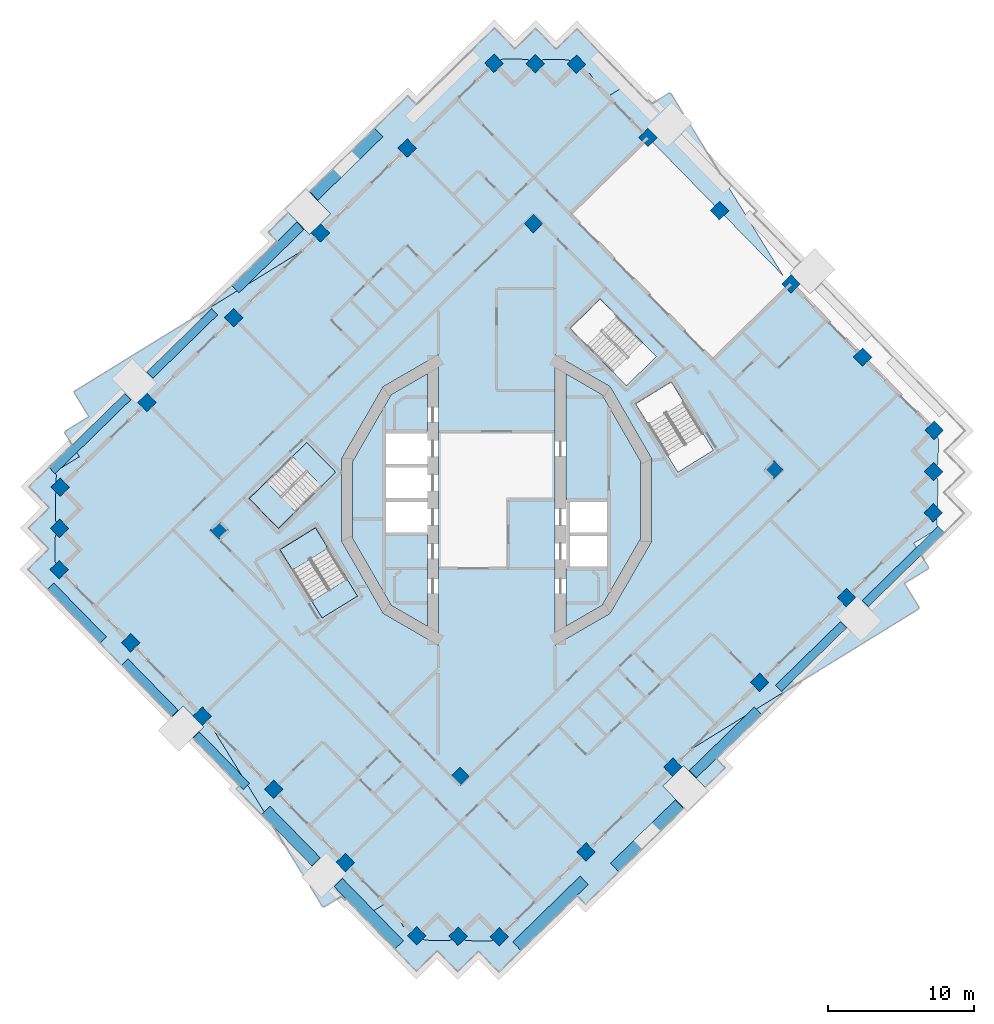
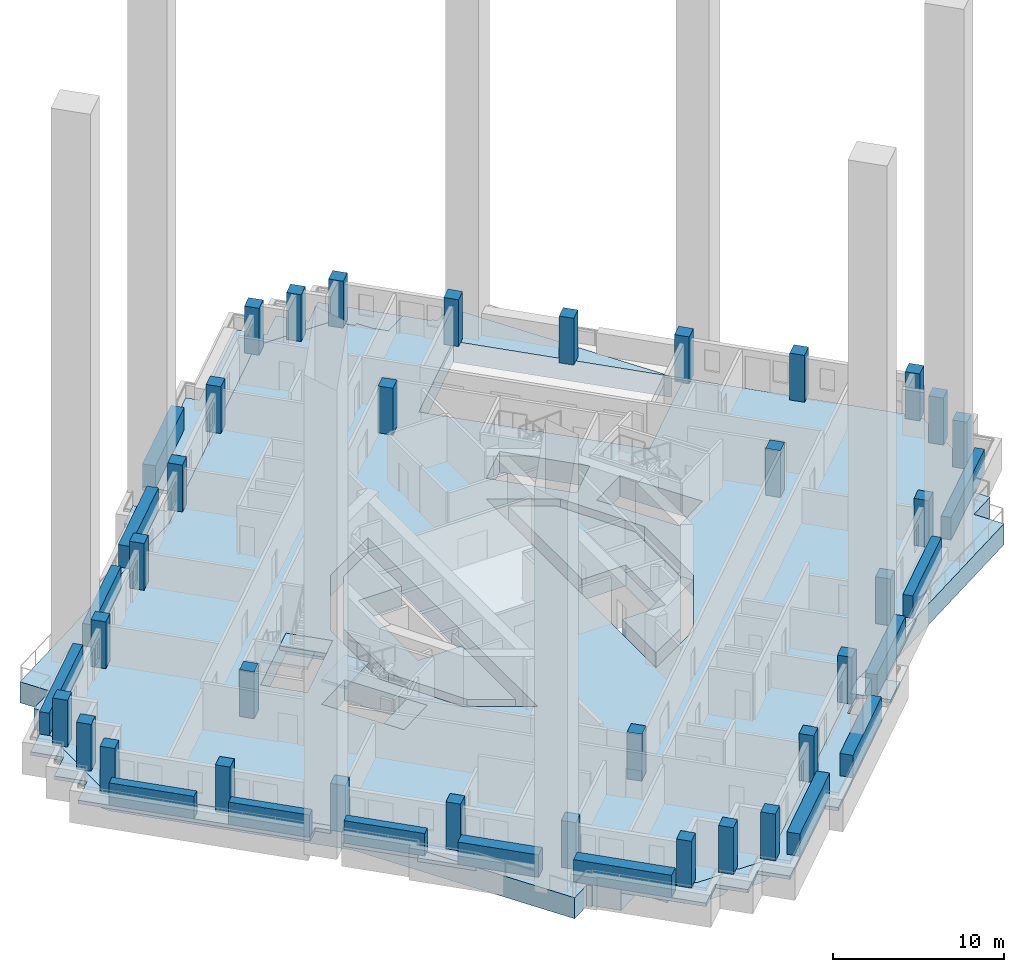
# One storey, part 1 of 17: 32 columns, 14 plates, 13 slabs, 2 elements without a shape of their own.
"""IFC4 building model written with IfcOpenShell, lengths in metres."""

from ifc_helpers import new_model, si_unit, direction, frame, origin, origin_2d, place, context, subcontext, project, spatial, polyline, rectangle, outline, extrude, material, layer, layer_set, material_profile, profile_set, type_object, element, aggregate, save


model = new_model("IFC4")

# Units and contexts
model_context = context("Model", 3, precision=1e-05, world=origin(), true_north=direction((0.0, 1.0)))
body_context = subcontext(model_context, "Body", "Model", "MODEL_VIEW")
ifc_project = project(units=[si_unit("LENGTHUNIT", "METRE"), si_unit("AREAUNIT", "SQUARE_METRE"), si_unit("VOLUMEUNIT", "CUBIC_METRE"), si_unit("PLANEANGLEUNIT", "RADIAN"), si_unit("MASSUNIT", "GRAM", prefix="KILO")], contexts=[model_context])

# Site, building, storey
site_placement = place(None, origin())
site = spatial("IfcSite", under=ifc_project, at=site_placement, CompositionType="ELEMENT")
building_placement = place(site_placement, origin())
building = spatial("IfcBuilding", under=site, at=building_placement, Name="Cantera Rosa Tower", CompositionType="ELEMENT")
storey_placement = place(building_placement, frame((0.0, 0.0, 205.39990234375)))
storey = spatial("IfcBuildingStorey", under=building, at=storey_placement, Name="L43", CompositionType="ELEMENT", Elevation=205.39990234375)

# Columns
ifc_material_1 = material(Name="Concrete C60/75", Category="concrete")
ifc_material_profile_1 = material_profile(ifc_material_1, rectangle(XDim=0.89990234375, YDim=0.89990234375, at=origin_2d()), Name="RC COLUMN RC900X900 C60/75")
ifc_profile_set_1 = profile_set([ifc_material_profile_1], Name="Concrete C60/75")
column_type_1 = type_object("IfcColumnType", Name="RC COLUMN RC900X900 C60/75", PredefinedType="COLUMN", material=ifc_profile_set_1)
for number, where, z_axis, x_axis, name in (
    (1, (30.003662109375, 4.77783203125, 0.0), (0.0, 0.0, 1.0), (0.71528629107, 0.698831540364, 0.0), "C-Z4-01 L43"),
    (2, (25.097900390625, 9.799072265625, 0.0), (0.0, 0.0, 1.0), (0.71528629107, 0.698831540364, 0.0), "C-Z4-02 L43"),
    (3, (20.19189453125, 14.8203125, 0.0), (0.0, 0.0, 1.0), (0.71528629107, 0.698831540364, 0.0), "C-Z4-03 L43"),
    (4, (15.2861328125, 19.841796875, 0.0), (0.0, 0.0, 1.0), (0.71528629107, 0.698831540364, 0.0), "C-Z4-04 L43"),
    (5, (10.38037109375, 24.863037109375, 0.0), (0.0, 0.0, 1.0), (0.71528629107, 0.698831540364, 0.0), "C-Z4-05 L43"),
    (6, (5.474609375, 29.88427734375, 0.0), (0.0, 0.0, 1.0), (0.71528629107, 0.698831540364, 0.0), "C-Z4-06 L43"),
    (7, (2.646484375, 29.917236328125, 0.0), (0.0, 0.0, 1.0), (0.71528629107, 0.698831540364, 0.0), "C-Z4-07 L43"),
    (8, (-0.181884765625, 29.9501953125, 0.0), (0.0, 0.0, 1.0), (0.71528629107, 0.698831540364, 0.0), "C-Z4-08 L43"),
    (9, (-6.133056640625, 24.1357421875, 0.0), (0.0, 0.0, 1.0), (0.71528629107, 0.698831540364, 0.0), "C-Z4-09 L43"),
    (10, (-12.084228515625, 18.321533203125, 0.0), (0.0, 0.0, 1.0), (0.71528629107, 0.698831540364, 0.0), "C-Z4-10 L43"),
    (11, (-18.035400390625, 12.50732421875, 0.0), (0.0, 0.0, 1.0), (0.71528629107, 0.698831540364, 0.0), "C-Z4-11 L43"),
    (12, (-23.986572265625, 6.693115234375, 0.0), (0.0, 0.0, 1.0), (0.71528629107, 0.698831540364, 0.0), "C-Z4-12 L43"),
    (13, (-29.937744140625, 0.878662109375, 0.0), (0.0, 0.0, 1.0), (0.71528629107, 0.698831540364, 0.0), "C-Z4-13 L43"),
    (14, (-29.970703125, -1.949462890625, 0.0), (0.0, 0.0, 1.0), (0.71528629107, 0.698831540364, 0.0), "C-Z4-14 L43"),
    (15, (-30.003662109375, -4.77783203125, 0.0), (0.0, 0.0, 1.0), (0.71528629107, 0.698831540364, 0.0), "C-Z4-15 L43"),
    (16, (-25.097900390625, -9.799072265625, 0.0), (0.0, 0.0, 1.0), (0.71528629107, 0.698831540364, 0.0), "C-Z4-16 L43"),
    (17, (-20.19189453125, -14.8203125, 0.0), (0.0, 0.0, 1.0), (0.71528629107, 0.698831540364, 0.0), "C-Z4-17 L43"),
    (18, (-15.2861328125, -19.841796875, 0.0), (0.0, 0.0, 1.0), (0.71528629107, 0.698831540364, 0.0), "C-Z4-18 L43"),
    (19, (-10.38037109375, -24.863037109375, 0.0), (0.0, 0.0, 1.0), (0.71528629107, 0.698831540364, 0.0), "C-Z4-19 L43"),
    (20, (-5.474609375, -29.88427734375, 0.0), (0.0, 0.0, 1.0), (0.71528629107, 0.698831540364, 0.0), "C-Z4-20 L43"),
    (21, (-2.646484375, -29.917236328125, 0.0), (0.0, 0.0, 1.0), (0.71528629107, 0.698831540364, 0.0), "C-Z4-21 L43"),
    (22, (0.181884765625, -29.9501953125, 0.0), (0.0, 0.0, 1.0), (0.71528629107, 0.698831540364, 0.0), "C-Z4-22 L43"),
    (23, (6.133056640625, -24.1357421875, 0.0), (0.0, 0.0, 1.0), (0.71528629107, 0.698831540364, 0.0), "C-Z4-23 L43"),
    (24, (12.084228515625, -18.321533203125, 0.0), (0.0, 0.0, 1.0), (0.71528629107, 0.698831540364, 0.0), "C-Z4-24 L43"),
    (25, (18.035400390625, -12.50732421875, 0.0), (0.0, 0.0, 1.0), (0.71528629107, 0.698831540364, 0.0), "C-Z4-25 L43"),
    (26, (23.986572265625, -6.693115234375, 0.0), (0.0, 0.0, 1.0), (0.71528629107, 0.698831540364, 0.0), "C-Z4-26 L43"),
    (27, (29.937744140625, -0.878662109375, 0.0), (0.0, 0.0, 1.0), (0.71528629107, 0.698831540364, 0.0), "C-Z4-27 L43"),
    (28, (29.970703125, 1.949462890625, 0.0), (0.0, 0.0, 1.0), (0.71528629107, 0.698831540364, 0.0), "C-Z4-28 L43"),
):
    element("IfcColumn", number, at=place(storey_placement, frame(where, z_axis=z_axis, x_axis=x_axis)), inside=storey, type_object=column_type_1, Name=name, PredefinedType="COLUMN", context=body_context, shape_type="SweptSolid", body=[
        extrude(rectangle(XDim=0.89990234375, YDim=0.89990234375, at=origin_2d()), origin(), (0.0, 0.0, 1.0), 3.35009765625),
    ])
ifc_material_2 = material(Name="Concrete C60/75", Category="concrete")
ifc_material_profile_2 = material_profile(ifc_material_2, rectangle(XDim=0.89990234375, YDim=0.89990234375, at=origin_2d()), Name="RC RING COLUMN RC900X900 C60/75")
ifc_profile_set_2 = profile_set([ifc_material_profile_2], Name="Concrete C60/75")
column_type_2 = type_object("IfcColumnType", Name="RC RING COLUMN RC900X900 C60/75", PredefinedType="COLUMN", material=ifc_profile_set_2)
for number, where, z_axis, x_axis, name in (
    (29, (2.518798828125, 18.957763671875, 0.0), (0.0, 0.0, 1.0), (0.71528629107, 0.698831540364, 0.0), "CI-Z4-1 L43"),
    (30, (-19.01123046875, -2.0771484375, 0.0), (0.0, 0.0, 1.0), (0.71528629107, 0.698831540364, 0.0), "CI-Z4-2 L43"),
    (31, (-2.518798828125, -18.957763671875, 0.0), (0.0, 0.0, 1.0), (0.71528629107, 0.698831540364, 0.0), "CI-Z4-3 L43"),
    (32, (19.01123046875, 2.0771484375, 0.0), (0.0, 0.0, 1.0), (0.71528629107, 0.698831540364, 0.0), "CI-Z4-4 L43"),
):
    element("IfcColumn", number, at=place(storey_placement, frame(where, z_axis=z_axis, x_axis=x_axis)), inside=storey, type_object=column_type_2, Name=name, PredefinedType="COLUMN", context=body_context, shape_type="SweptSolid", body=[
        extrude(rectangle(XDim=0.89990234375, YDim=0.89990234375, at=origin_2d()), origin(), (0.0, 0.0, 1.0), 3.35009765625),
    ])

# Slabs
ifc_material_3 = material(Name="Concrete C35/45", Category="concrete")
ifc_layer_1 = layer(ifc_material_3, 0.25)
ifc_layer_set_1 = layer_set([ifc_layer_1], Name="LOGGIA SLAB 250 C35/45")
slab_type_1 = type_object("IfcSlabType", Name="LOGGIA SLAB 250 C35/45", PredefinedType="FLOOR", material=ifc_layer_set_1)
slab_1_placement = place(storey_placement, frame((0.0, 0.0, -0.25)))
element("IfcSlab", 33, at=slab_1_placement, inside=storey, type_object=slab_type_1, Name="LOGGIA SLAB L43 1", PredefinedType="FLOOR", context=body_context, shape_type="SweptSolid", body=[
    extrude(outline(polyline([(-31.0517578125, -3.704833984375), (-30.694091796875, -3.35546875), (-31.043701171875, -2.997802734375), (-32.091796875, -1.9248046875), (-31.018798828125, -0.876708984375), (-30.661376953125, -0.527099609375), (-31.0107421875, -0.16943359375), (-32.05908203125, 0.9033203125), (-30.986083984375, 1.95166015625), (-29.117919921875, 3.77685546875), (-28.618896484375, 2.967529296875), (-30.321044921875, 1.917724609375), (-30.198974609375, 1.7197265625), (-30.2451171875, 0.245849609375), (-30.26318359375, -1.309814453125), (-30.26220703125, -1.339111328125), (-30.25830078125, -1.368408203125), (-30.25146484375, -1.39697265625), (-30.24169921875, -1.4248046875), (-30.2294921875, -1.451416015625), (-29.970703125, -1.949462890625), (-30.240966796875, -2.44140625), (-30.25390625, -2.4677734375), (-30.26416015625, -2.495361328125), (-30.271484375, -2.52392578125), (-30.2763671875, -2.552978515625), (-30.278076171875, -2.58251953125), (-30.296142578125, -4.137939453125), (-30.295166015625, -4.167236328125), (-30.291015625, -4.196533203125), (-30.2841796875, -4.22509765625), (-30.274658203125, -4.2529296875), (-30.262451171875, -4.27978515625), (-30.003662109375, -4.777587890625), (-20.506591796875, -14.49853515625), (-20.828369140625, -14.81298828125), (-21.4921875, -14.13330078125), (-22.243408203125, -14.8671875), (-22.313232421875, -14.795654296875), (-25.12255859375, -11.920166015625), (-27.218994140625, -9.7744140625), (-31.076416015625, -5.825927734375), (-32.124755859375, -4.753173828125), (-31.0517578125, -3.704833984375)])), origin(), (0.0, 0.0, 1.0), 0.25),
])
slab_2_placement = place(storey_placement, frame((0.0, 0.0, -0.25)))
element("IfcSlab", 34, at=slab_2_placement, inside=storey, type_object=slab_type_1, Name="LOGGIA SLAB L43 2", PredefinedType="FLOOR", context=body_context, shape_type="SweptSolid", body=[
    extrude(outline(polyline([(-20.216796875, -16.94140625), (-20.845703125, -16.2978515625), (-20.094482421875, -15.56396484375), (-20.199462890625, -15.456787109375), (-19.877685546875, -15.142333984375), (-19.66259765625, -15.3623046875), (-15.34375, -22.3642578125), (-17.837158203125, -19.81201171875), (-17.619873046875, -19.599609375), (-20.216796875, -16.94140625)])), origin(), (0.0, 0.0, 1.0), 0.25),
])
slab_3_placement = place(storey_placement, frame((0.0, 0.0, -0.25)))
element("IfcSlab", 35, at=slab_3_placement, inside=storey, type_object=slab_type_1, Name="LOGGIA SLAB L43 3", PredefinedType="FLOOR", context=body_context, shape_type="SweptSolid", body=[
    extrude(outline(polyline([(-14.277587890625, 19.7080078125), (-12.827880859375, 18.22412109375), (-12.720703125, 18.3291015625), (-12.406005859375, 18.007080078125), (-13.34912109375, 17.0859375), (-19.77978515625, 13.119384765625), (-15.0478515625, 17.742431640625), (-15.654052734375, 18.363037109375), (-14.277587890625, 19.7080078125)])), origin(), (0.0, 0.0, 1.0), 0.25),
])
slab_4_placement = place(storey_placement, frame((0.0, 0.0, -0.25)))
element("IfcSlab", 36, at=slab_4_placement, inside=storey, type_object=slab_type_1, Name="LOGGIA SLAB L43 4", PredefinedType="FLOOR", context=body_context, shape_type="SweptSolid", body=[
    extrude(outline(polyline([(1.45849609375, 31.13330078125), (2.67431640625, 32.3212890625), (3.8623046875, 31.105224609375), (4.072021484375, 30.890625), (4.28662109375, 31.100341796875), (5.502685546875, 32.288330078125), (6.690673828125, 31.072265625), (9.1142578125, 28.591552734375), (7.63134765625, 27.677001953125), (6.914794921875, 28.41015625), (6.389892578125, 29.260986328125), (6.19873046875, 29.14306640625), (5.474609375, 29.88427734375), (4.982666015625, 30.154541015625), (4.956298828125, 30.16748046875), (4.9287109375, 30.177734375), (4.900146484375, 30.185302734375), (4.87109375, 30.18994140625), (4.841796875, 30.191650390625), (3.2861328125, 30.209716796875), (3.2568359375, 30.208740234375), (3.2275390625, 30.20458984375), (3.198974609375, 30.197998046875), (3.171142578125, 30.188232421875), (3.144287109375, 30.176025390625), (2.646484375, 29.917236328125), (2.154541015625, 30.1875), (2.1279296875, 30.200439453125), (2.100341796875, 30.210693359375), (2.072021484375, 30.218017578125), (2.04296875, 30.222900390625), (2.013427734375, 30.224609375), (0.4580078125, 30.24267578125), (0.4287109375, 30.24169921875), (0.3994140625, 30.237548828125), (0.37060546875, 30.230712890625), (0.343017578125, 30.22119140625), (0.316162109375, 30.208984375), (-0.181884765625, 29.9501953125), (-0.883056640625, 29.26513671875), (-11.762451171875, 18.635986328125), (-12.076904296875, 18.9580078125), (-11.397216796875, 19.621826171875), (-12.846923828125, 21.105712890625), (-6.091552734375, 27.705810546875), (-5.515380859375, 27.115966796875), (-1.369873046875, 31.166015625), (-0.15380859375, 32.35400390625), (1.0341796875, 31.13818359375), (1.243896484375, 30.923583984375), (1.45849609375, 31.13330078125)])), origin(), (0.0, 0.0, 1.0), 0.25),
])
slab_5_placement = place(storey_placement, frame((0.0, 0.0, -0.25)))
element("IfcSlab", 37, at=slab_5_placement, inside=storey, type_object=slab_type_1, Name="LOGGIA SLAB L43 5", PredefinedType="FLOOR", context=body_context, shape_type="SweptSolid", body=[
    extrude(outline(polyline([(-1.243896484375, -30.923583984375), (-1.45849609375, -31.13330078125), (-2.67431640625, -32.3212890625), (-3.8623046875, -31.105224609375), (-4.072021484375, -30.890625), (-4.28662109375, -31.100341796875), (-5.502685546875, -32.288330078125), (-6.690673828125, -31.072265625), (-9.1142578125, -28.591552734375), (-7.63134765625, -27.677001953125), (-6.914794921875, -28.41015625), (-6.389892578125, -29.260986328125), (-6.19873046875, -29.14306640625), (-5.474609375, -29.88427734375), (-4.982666015625, -30.154541015625), (-4.956298828125, -30.16748046875), (-4.9287109375, -30.177734375), (-4.900146484375, -30.185302734375), (-4.87109375, -30.18994140625), (-4.841796875, -30.191650390625), (-3.2861328125, -30.209716796875), (-3.2568359375, -30.208740234375), (-3.2275390625, -30.20458984375), (-3.198974609375, -30.197998046875), (-3.171142578125, -30.188232421875), (-3.144287109375, -30.176025390625), (-2.646484375, -29.917236328125), (-2.154541015625, -30.1875), (-2.1279296875, -30.200439453125), (-2.100341796875, -30.210693359375), (-2.072021484375, -30.218017578125), (-2.04296875, -30.222900390625), (-2.013427734375, -30.224609375), (-0.4580078125, -30.24267578125), (-0.4287109375, -30.24169921875), (-0.3994140625, -30.237548828125), (-0.37060546875, -30.230712890625), (-0.343017578125, -30.22119140625), (-0.316162109375, -30.208984375), (0.181884765625, -29.9501953125), (0.883056640625, -29.26513671875), (11.762451171875, -18.635986328125), (12.076904296875, -18.9580078125), (11.397216796875, -19.621826171875), (12.846923828125, -21.105712890625), (6.091552734375, -27.705810546875), (5.515380859375, -27.115966796875), (1.369873046875, -31.166015625), (0.15380859375, -32.35400390625), (-1.0341796875, -31.13818359375), (-1.243896484375, -30.923583984375)])), origin(), (0.0, 0.0, 1.0), 0.25),
])
slab_6_placement = place(storey_placement, frame((0.0, 0.0, -0.25)))
element("IfcSlab", 38, at=slab_6_placement, inside=storey, type_object=slab_type_1, Name="LOGGIA SLAB L43 6", PredefinedType="FLOOR", context=body_context, shape_type="SweptSolid", body=[
    extrude(outline(polyline([(14.277587890625, -19.7080078125), (12.827880859375, -18.22412109375), (12.720703125, -18.3291015625), (12.406005859375, -18.007080078125), (13.34912109375, -17.0859375), (19.77978515625, -13.119384765625), (15.0478515625, -17.742431640625), (15.654052734375, -18.363037109375), (14.277587890625, -19.7080078125)])), origin(), (0.0, 0.0, 1.0), 0.25),
])

# Plates
ifc_material_4 = material(Name="Cantera stone planter with soil", Category="masonry")
plate_type_1 = type_object("IfcPlateType", Name="PLANTER 600", PredefinedType="USERDEFINED", material=ifc_material_4)
plate_1_placement = place(storey_placement, frame((-21.5634765625, 10.738037109375, 0.0), z_axis=(0.0, 0.0, 1.0), x_axis=(-0.71528629107, -0.698831540364, 0.0)))
element("IfcPlate", 39, at=plate_1_placement, inside=storey, type_object=plate_type_1, Name="PLANTER L43-09", ObjectType="PLANTER", PredefinedType="USERDEFINED", context=body_context, shape_type="SweptSolid", body=[
    extrude(rectangle(XDim=6.219970703125, YDim=0.60009765625, at=origin_2d()), origin(), (0.0, 0.0, 1.0), 1.60009765625),
])
plate_2_placement = place(storey_placement, frame((-27.89013671875, 4.556884765625, 0.0), z_axis=(0.0, 0.0, 1.0), x_axis=(-0.71528629107, -0.698831540364, 0.0)))
element("IfcPlate", 40, at=plate_2_placement, inside=storey, type_object=plate_type_1, Name="PLANTER L43-10", ObjectType="PLANTER", PredefinedType="USERDEFINED", context=body_context, shape_type="SweptSolid", body=[
    extrude(rectangle(XDim=7.27001953125, YDim=0.60009765625, at=origin_2d()), origin(), (0.0, 0.0, 1.0), 1.60009765625),
])
plate_3_placement = place(storey_placement, frame((-28.77587890625, -7.75146484375, 0.0), z_axis=(0.0, 0.0, 1.0), x_axis=(0.698831540364, -0.71528629107, 0.0)))
element("IfcPlate", 41, at=plate_3_placement, inside=storey, type_object=plate_type_1, Name="PLANTER L43-11", ObjectType="PLANTER", PredefinedType="USERDEFINED", context=body_context, shape_type="SweptSolid", body=[
    extrude(rectangle(XDim=5.169921875, YDim=0.60009765625, at=origin_2d()), origin(), (0.0, 0.0, 1.0), 1.60009765625),
])
for number, where, z_axis, x_axis, name in (
    (42, (-23.78271484375, -12.8623046875, 0.0), (0.0, 0.0, 1.0), (0.698831540364, -0.71528629107, 0.0), "PLANTER L43-12"),
    (43, (-18.876953125, -17.883544921875, 0.0), (0.0, 0.0, 1.0), (0.698831540364, -0.71528629107, 0.0), "PLANTER L43-13"),
):
    element("IfcPlate", number, at=place(storey_placement, frame(where, z_axis=z_axis, x_axis=x_axis)), inside=storey, type_object=plate_type_1, Name=name, ObjectType="PLANTER", PredefinedType="USERDEFINED", context=body_context, shape_type="SweptSolid", body=[
        extrude(rectangle(XDim=4.919921875, YDim=0.60009765625, at=origin_2d()), origin(), (0.0, 0.0, 1.0), 1.60009765625),
    ])
plate_4_placement = place(storey_placement, frame((21.5634765625, -10.738037109375, 0.0), z_axis=(0.0, 0.0, 1.0), x_axis=(0.71528629107, 0.698831540364, 0.0)))
element("IfcPlate", 44, at=plate_4_placement, inside=storey, type_object=plate_type_1, Name="PLANTER L43-19", ObjectType="PLANTER", PredefinedType="USERDEFINED", context=body_context, shape_type="SweptSolid", body=[
    extrude(rectangle(XDim=6.219970703125, YDim=0.60009765625, at=origin_2d()), origin(), (0.0, 0.0, 1.0), 1.60009765625),
])
plate_5_placement = place(storey_placement, frame((27.89013671875, -4.556884765625, 0.0), z_axis=(0.0, 0.0, 1.0), x_axis=(0.71528629107, 0.698831540364, 0.0)))
element("IfcPlate", 45, at=plate_5_placement, inside=storey, type_object=plate_type_1, Name="PLANTER L43-20", ObjectType="PLANTER", PredefinedType="USERDEFINED", context=body_context, shape_type="SweptSolid", body=[
    extrude(rectangle(XDim=7.27001953125, YDim=0.60009765625, at=origin_2d()), origin(), (0.0, 0.0, 1.0), 1.60009765625),
])
ifc_material_5 = material(Name="Cantera stone planter with soil", Category="masonry")
plate_type_2 = type_object("IfcPlateType", Name="PLANTER 700", PredefinedType="USERDEFINED", material=ifc_material_5)
for number, where, z_axis, x_axis, name in (
    (46, (-15.68701171875, 16.628662109375, 0.0), (0.0, 0.0, 1.0), (-0.71528629107, -0.698831540364, 0.0), "PLANTER L43-08"),
    (47, (15.68701171875, -16.628662109375, 0.0), (0.0, 0.0, 1.0), (0.71528629107, 0.698831540364, 0.0), "PLANTER L43-18"),
):
    element("IfcPlate", number, at=place(storey_placement, frame(where, z_axis=z_axis, x_axis=x_axis)), inside=storey, type_object=plate_type_2, Name=name, ObjectType="PLANTER", PredefinedType="USERDEFINED", context=body_context, shape_type="SweptSolid", body=[
        extrude(rectangle(XDim=6.219970703125, YDim=0.699951171875, at=origin_2d()), origin(), (0.0, 0.0, 1.0), 1.60009765625),
    ])
ifc_material_6 = material(Name="Cantera stone planter with soil", Category="masonry")
plate_type_3 = type_object("IfcPlateType", Name="PLANTER 800", PredefinedType="USERDEFINED", material=ifc_material_6)
plate_6_placement = place(storey_placement, frame((-10.30712890625, 23.02783203125, 0.0), z_axis=(0.0, 0.0, 1.0), x_axis=(-0.71528629107, -0.698831540364, 0.0)))
element("IfcPlate", 48, at=plate_6_placement, inside=storey, type_object=plate_type_3, Name="PLANTER L43-07", ObjectType="PLANTER", PredefinedType="USERDEFINED", context=body_context, shape_type="SweptSolid", body=[
    extrude(rectangle(XDim=6.219970703125, YDim=0.800048828125, at=origin_2d()), origin(), (0.0, 0.0, 1.0), 1.60009765625),
])
plate_7_placement = place(storey_placement, frame((-14.1171875, -23.04736328125, 0.0), z_axis=(0.0, 0.0, 1.0), x_axis=(0.698831540364, -0.71528629107, 0.0)))
element("IfcPlate", 49, at=plate_7_placement, inside=storey, type_object=plate_type_3, Name="PLANTER L43-14", ObjectType="PLANTER", PredefinedType="USERDEFINED", context=body_context, shape_type="SweptSolid", body=[
    extrude(rectangle(XDim=4.919921875, YDim=0.800048828125, at=origin_2d()), origin(), (0.0, 0.0, 1.0), 1.60009765625),
])
plate_8_placement = place(storey_placement, frame((-8.77001953125, -28.37158203125, 0.0), z_axis=(0.0, 0.0, 1.0), x_axis=(0.698831540364, -0.71528629107, 0.0)))
element("IfcPlate", 50, at=plate_8_placement, inside=storey, type_object=plate_type_3, Name="PLANTER L43-15", ObjectType="PLANTER", PredefinedType="USERDEFINED", context=body_context, shape_type="SweptSolid", body=[
    extrude(rectangle(XDim=5.969970703125, YDim=0.800048828125, at=origin_2d()), origin(), (0.0, 0.0, 1.0), 1.60009765625),
])
plate_9_placement = place(storey_placement, frame((3.6904296875, -28.33984375, 0.0), z_axis=(0.0, 0.0, 1.0), x_axis=(0.71528629107, 0.698831540364, 0.0)))
element("IfcPlate", 51, at=plate_9_placement, inside=storey, type_object=plate_type_3, Name="PLANTER L43-16", ObjectType="PLANTER", PredefinedType="USERDEFINED", context=body_context, shape_type="SweptSolid", body=[
    extrude(rectangle(XDim=6.469970703125, YDim=0.800048828125, at=origin_2d()), origin(), (0.0, 0.0, 1.0), 1.60009765625),
])
plate_10_placement = place(storey_placement, frame((10.30712890625, -23.02783203125, 0.0), z_axis=(0.0, 0.0, 1.0), x_axis=(0.71528629107, 0.698831540364, 0.0)))
element("IfcPlate", 52, at=plate_10_placement, inside=storey, type_object=plate_type_3, Name="PLANTER L43-17", ObjectType="PLANTER", PredefinedType="USERDEFINED", context=body_context, shape_type="SweptSolid", body=[
    extrude(rectangle(XDim=6.219970703125, YDim=0.800048828125, at=origin_2d()), origin(), (0.0, 0.0, 1.0), 1.60009765625),
])

# Slabs
ifc_material_7 = material(Name="Concrete C50/60", Category="concrete")
ifc_layer_2 = layer(ifc_material_7, 0.300048828125)
ifc_layer_set_2 = layer_set([ifc_layer_2], Name="RC STAIR ARRIVAL LANDING 300 C50/60")
slab_type_2 = type_object("IfcSlabType", Name="RC STAIR ARRIVAL LANDING 300 C50/60", PredefinedType="FLOOR", material=ifc_layer_set_2)
slab_7_placement = place(storey_placement, frame((0.0, 0.0, -0.2998046875)))
element("IfcSlab", 53, at=slab_7_placement, inside=storey, type_object=slab_type_2, Name="SLAB L43 arrival 1", PredefinedType="FLOOR", context=body_context, shape_type="SweptSolid", body=[
    extrude(outline(polyline([(-14.0029296875, 2.9892578125), (-13.02880859375, 3.941162109375), (-11.037109375, 1.902587890625), (-12.01123046875, 0.95068359375), (-14.0029296875, 2.9892578125)])), origin(), (0.0, 0.0, 1.0), 0.2998046875),
])
slab_8_placement = place(storey_placement, frame((0.0, 0.0, -0.2998046875)))
element("IfcSlab", 54, at=slab_8_placement, inside=storey, type_object=slab_type_2, Name="SLAB L43 arrival 2", PredefinedType="FLOOR", context=body_context, shape_type="SweptSolid", body=[
    extrude(outline(polyline([(-10.258544921875, -5.433349609375), (-9.54345703125, -6.592529296875), (-11.96923828125, -8.088623046875), (-12.68408203125, -6.929443359375), (-10.258544921875, -5.433349609375)])), origin(), (0.0, 0.0, 1.0), 0.2998046875),
])
ifc_material_8 = material(Name="Concrete C50/60", Category="concrete")
ifc_layer_3 = layer(ifc_material_8, 1.5)
ifc_layer_set_3 = layer_set([ifc_layer_3], Name="RC TRANSFER PLATE 1500 C50/60")
slab_type_3 = type_object("IfcSlabType", Name="RC TRANSFER PLATE 1500 C50/60", PredefinedType="FLOOR", material=ifc_layer_set_3)
slab_9_placement = place(storey_placement, frame((0.0, 0.0, -1.5)))
element("IfcSlab", 55, at=slab_9_placement, inside=storey, type_object=slab_type_3, Name="SLAB L43 floor 1", PredefinedType="FLOOR", context=body_context, shape_type="SweptSolid", body=[
    extrude(outline(polyline([(-7.699951171875, -2.35009765625), (-4.75, -2.35009765625), (-4.75, -8.660400390625), (-7.22900390625, -7.22900390625), (-9.875244140625, -2.64599609375), (-9.875244140625, 2.64599609375), (-7.22900390625, 7.22900390625), (-4.75, 8.660400390625), (-4.75, 4.699951171875), (-7.699951171875, 4.699951171875), (-7.699951171875, 2.35009765625), (-7.699951171875, 0.0), (-7.699951171875, -2.35009765625)])), origin(), (0.0, 0.0, 1.0), 1.5),
])
slab_10_placement = place(storey_placement, frame((0.0, 0.0, -1.5)))
element("IfcSlab", 56, at=slab_10_placement, inside=storey, type_object=slab_type_3, Name="SLAB L43 floor 2", PredefinedType="FLOOR", context=body_context, shape_type="SweptSolid", body=[
    extrude(outline(polyline([(-19.66259765625, -15.3623046875), (-30.003662109375, -4.777587890625), (-30.262451171875, -4.27978515625), (-30.274658203125, -4.2529296875), (-30.2841796875, -4.22509765625), (-30.291015625, -4.196533203125), (-30.295166015625, -4.167236328125), (-30.296142578125, -4.137939453125), (-30.278076171875, -2.58251953125), (-30.2763671875, -2.552978515625), (-30.271484375, -2.52392578125), (-30.26416015625, -2.495361328125), (-30.25390625, -2.4677734375), (-30.240966796875, -2.44140625), (-29.970703125, -1.949462890625), (-30.2294921875, -1.451416015625), (-30.24169921875, -1.4248046875), (-30.25146484375, -1.39697265625), (-30.25830078125, -1.368408203125), (-30.26220703125, -1.339111328125), (-30.26318359375, -1.309814453125), (-30.2451171875, 0.245849609375), (-30.198974609375, 1.7197265625), (-30.321044921875, 1.917724609375), (-28.618896484375, 2.967529296875), (-29.668701171875, 4.669921875), (-27.966552734375, 5.7197265625), (-29.0166015625, 7.422119140625), (-13.34912109375, 17.0859375), (-0.883056640625, 29.26513671875), (-0.181884765625, 29.9501953125), (0.316162109375, 30.208984375), (0.343017578125, 30.22119140625), (0.37060546875, 30.230712890625), (0.3994140625, 30.237548828125), (0.4287109375, 30.24169921875), (0.4580078125, 30.24267578125), (2.013427734375, 30.224609375), (2.04296875, 30.222900390625), (2.072021484375, 30.218017578125), (2.100341796875, 30.210693359375), (2.1279296875, 30.200439453125), (2.154541015625, 30.1875), (2.646484375, 29.917236328125), (3.144287109375, 30.176025390625), (3.171142578125, 30.188232421875), (3.198974609375, 30.197998046875), (3.2275390625, 30.20458984375), (3.2568359375, 30.208740234375), (3.2861328125, 30.209716796875), (4.841796875, 30.191650390625), (4.87109375, 30.18994140625), (4.900146484375, 30.185302734375), (4.9287109375, 30.177734375), (4.956298828125, 30.16748046875), (4.982666015625, 30.154541015625), (5.474609375, 29.88427734375), (6.19873046875, 29.14306640625), (6.389892578125, 29.260986328125), (6.914794921875, 28.41015625), (7.63134765625, 27.677001953125), (9.14208984375, 28.60888671875), (9.21875, 28.484619140625), (10.335693359375, 27.34130859375), (10.41015625, 27.4140625), (10.637451171875, 27.181396484375), (11.894287109375, 27.95654296875), (15.34375, 22.3642578125), (19.66259765625, 15.3623046875), (10.38037109375, 24.863037109375), (5.015869140625, 19.621826171875), (14.827392578125, 9.5791015625), (20.19189453125, 14.8203125), (30.003662109375, 4.777587890625), (30.262451171875, 4.27978515625), (30.274658203125, 4.2529296875), (30.2841796875, 4.22509765625), (30.291015625, 4.196533203125), (30.295166015625, 4.167236328125), (30.296142578125, 4.137939453125), (30.278076171875, 2.58251953125), (30.2763671875, 2.552978515625), (30.271484375, 2.52392578125), (30.26416015625, 2.495361328125), (30.25390625, 2.4677734375), (30.240966796875, 2.44140625), (29.970703125, 1.949462890625), (30.2294921875, 1.451416015625), (30.24169921875, 1.4248046875), (30.25146484375, 1.39697265625), (30.25830078125, 1.368408203125), (30.26220703125, 1.339111328125), (30.26318359375, 1.309814453125), (30.2451171875, -0.245849609375), (30.198974609375, -1.7197265625), (30.321044921875, -1.917724609375), (28.618896484375, -2.967529296875), (29.668701171875, -4.669921875), (27.966552734375, -5.7197265625), (29.0166015625, -7.422119140625), (13.34912109375, -17.0859375), (0.883056640625, -29.26513671875), (0.181884765625, -29.9501953125), (-0.316162109375, -30.208984375), (-0.343017578125, -30.22119140625), (-0.37060546875, -30.230712890625), (-0.3994140625, -30.237548828125), (-0.4287109375, -30.24169921875), (-0.4580078125, -30.24267578125), (-2.013427734375, -30.224609375), (-2.04296875, -30.222900390625), (-2.072021484375, -30.218017578125), (-2.100341796875, -30.210693359375), (-2.1279296875, -30.200439453125), (-2.154541015625, -30.1875), (-2.646484375, -29.917236328125), (-3.144287109375, -30.176025390625), (-3.171142578125, -30.188232421875), (-3.198974609375, -30.197998046875), (-3.2275390625, -30.20458984375), (-3.2568359375, -30.208740234375), (-3.2861328125, -30.209716796875), (-4.841796875, -30.191650390625), (-4.87109375, -30.18994140625), (-4.900146484375, -30.185302734375), (-4.9287109375, -30.177734375), (-4.956298828125, -30.16748046875), (-4.982666015625, -30.154541015625), (-5.474609375, -29.88427734375), (-6.19873046875, -29.14306640625), (-6.389892578125, -29.260986328125), (-6.914794921875, -28.41015625), (-7.63134765625, -27.677001953125), (-9.14208984375, -28.60888671875), (-9.21875, -28.484619140625), (-10.335693359375, -27.34130859375), (-10.41015625, -27.4140625), (-10.637451171875, -27.181396484375), (-11.894287109375, -27.95654296875), (-19.66259765625, -15.3623046875)]), holes=[polyline([(-9.54345703125, -6.592529296875), (-12.430908203125, -1.911376953125), (-14.8564453125, -3.407470703125), (-11.96923828125, -8.088623046875), (-9.54345703125, -6.592529296875)]), polyline([(-7.7783203125, 7.7783203125), (-10.625244140625, 2.846923828125), (-10.625244140625, -2.846923828125), (-7.7783203125, -7.7783203125), (-4.0, -9.95947265625), (-4.0, 9.95947265625), (-7.7783203125, 7.7783203125)]), polyline([(-14.97119140625, -1.941162109375), (-11.037109375, 1.902587890625), (-13.02880859375, 3.941162109375), (-14.0029296875, 2.9892578125), (-16.962890625, 0.097412109375), (-14.97119140625, -1.941162109375)]), polyline([(7.7783203125, -7.7783203125), (10.625244140625, -2.846923828125), (10.625244140625, 2.846923828125), (7.7783203125, 7.7783203125), (4.0, 9.95947265625), (4.0, -9.95947265625), (7.7783203125, -7.7783203125)]), polyline([(12.430908203125, 1.911376953125), (14.8564453125, 3.407470703125), (11.96923828125, 8.088623046875), (9.54345703125, 6.592529296875), (12.430908203125, 1.911376953125)]), polyline([(8.902587890625, 7.837158203125), (10.941162109375, 9.828857421875), (9.9892578125, 10.802978515625), (7.097412109375, 13.762939453125), (5.058837890625, 11.771240234375), (8.902587890625, 7.837158203125)])]), origin(), (0.0, 0.0, 1.0), 1.5),
])
slab_11_placement = place(storey_placement, frame((0.0, 0.0, -1.5)))
element("IfcSlab", 57, at=slab_11_placement, inside=storey, type_object=slab_type_3, Name="SLAB L43 floor 3", PredefinedType="FLOOR", context=body_context, shape_type="SweptSolid", body=[
    extrude(outline(polyline([(4.75, 0.0), (4.75, 8.660400390625), (7.22900390625, 7.22900390625), (9.875244140625, 2.64599609375), (9.875244140625, -2.64599609375), (7.22900390625, -7.22900390625), (4.75, -8.660400390625), (4.75, -4.699951171875), (7.699951171875, -4.699951171875), (7.699951171875, -2.35009765625), (7.699951171875, 0.0), (4.75, 0.0)])), origin(), (0.0, 0.0, 1.0), 1.5),
])

# Stair, slab
ifc_material_9 = material(Name="Concrete C35/45", Category="concrete")
stair_type = type_object("IfcStairType", Name="EXIT STAIR 1350 DOGLEG", PredefinedType="HALF_TURN_STAIR", material=ifc_material_9)
stair_1_placement = place(storey_placement, origin())
stair_1 = element("IfcStair", 58, at=stair_1_placement, inside=storey, type_object=stair_type, Name="L43 ST-43", PredefinedType="HALF_TURN_STAIR")
ifc_material_10 = material(Name="Concrete C35/45", Category="concrete")
ifc_layer_4 = layer(ifc_material_10, 0.199951171875)
ifc_layer_set_4 = layer_set([ifc_layer_4], Name="STAIR LANDING 200")
slab_type_4 = type_object("IfcSlabType", Name="STAIR LANDING 200", PredefinedType="LANDING", material=ifc_layer_set_4)
slab_12_placement = place(storey_placement, frame((0.0, 0.0, 1.60009765625)))
slab_12 = element("IfcSlab", 59, at=slab_12_placement, type_object=slab_type_4, Name="ST-43 landing 1", PredefinedType="LANDING", context=body_context, shape_type="SweptSolid", body=[
    extrude(outline(polyline([(-15.788330078125, 1.244873046875), (-16.962890625, 0.097412109375), (-14.97119140625, -1.941162109375), (-13.796630859375, -0.793701171875), (-15.788330078125, 1.244873046875)])), origin(), (0.0, 0.0, 1.0), 0.199951171875),
])
aggregate(stair_1, [slab_12])

stair_2_placement = place(storey_placement, origin())
stair_2 = element("IfcStair", 60, at=stair_2_placement, inside=storey, type_object=stair_type, Name="L43 ST-44", PredefinedType="HALF_TURN_STAIR")
slab_13_placement = place(storey_placement, frame((0.0, 0.0, 1.60009765625)))
slab_13 = element("IfcSlab", 61, at=slab_13_placement, type_object=slab_type_4, Name="ST-44 landing 1", PredefinedType="LANDING", context=body_context, shape_type="SweptSolid", body=[
    extrude(outline(polyline([(-11.56884765625, -3.308837890625), (-12.430908203125, -1.911376953125), (-14.8564453125, -3.407470703125), (-13.99462890625, -4.80517578125), (-11.56884765625, -3.308837890625)])), origin(), (0.0, 0.0, 1.0), 0.199951171875),
])
aggregate(stair_2, [slab_13])

save(model, "model.ifc")
